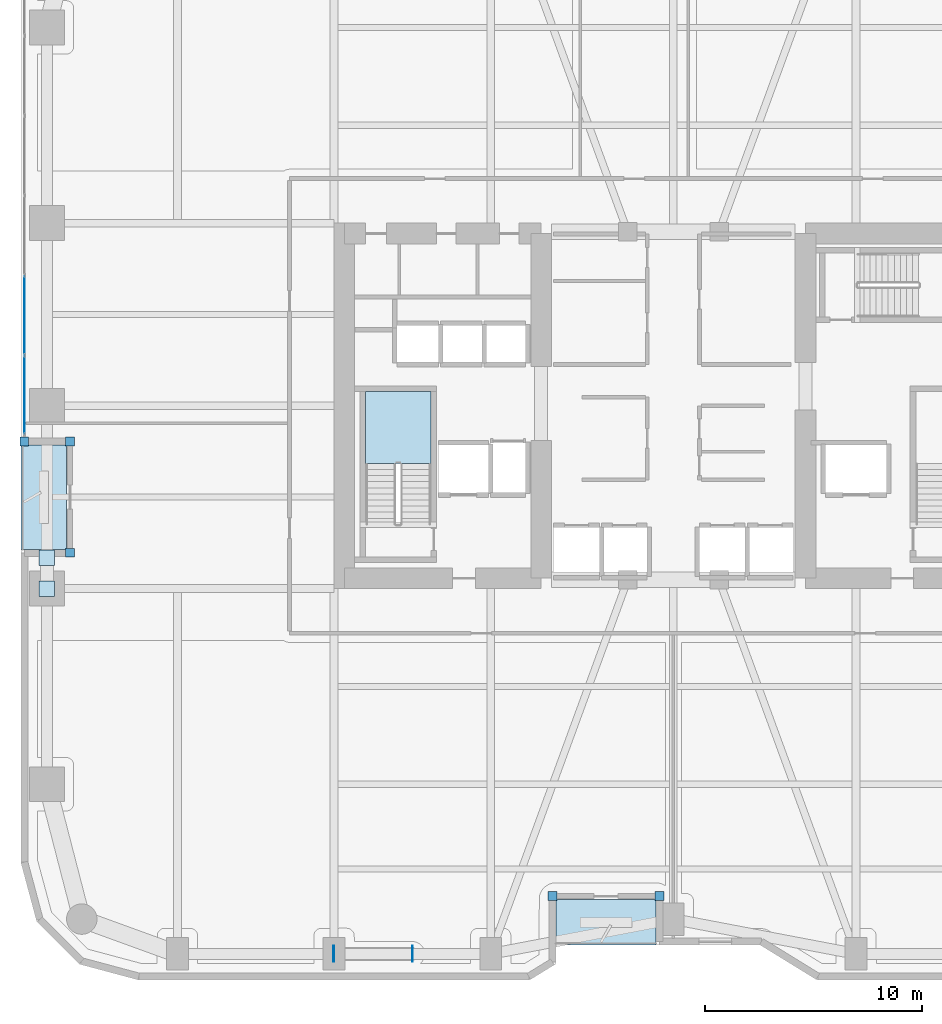
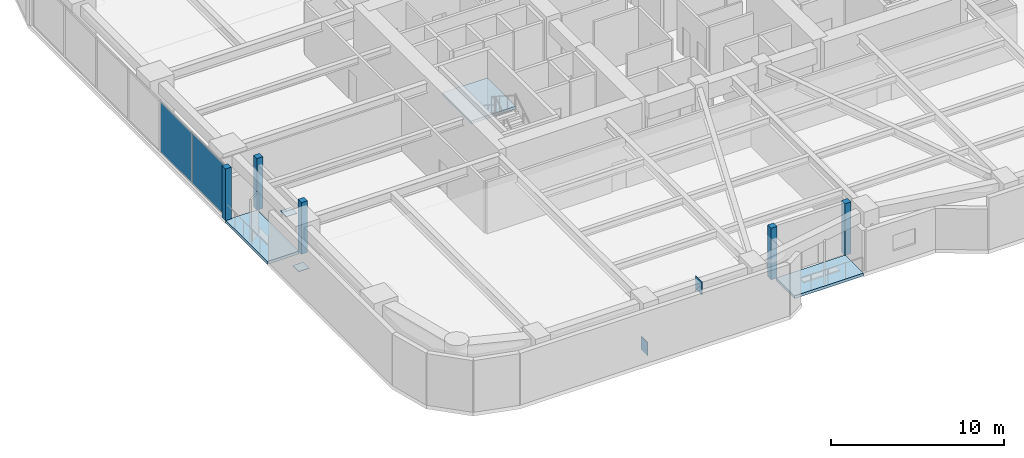
# One storey, part 19 of 29: 11 plates, 3 slabs, 2 elements without a shape of their own.
"""IFC4 building model written with IfcOpenShell, lengths in metres."""

from ifc_helpers import new_model, si_unit, direction, frame, origin, origin_2d, place, context, subcontext, project, spatial, polyline, rectangle, outline, extrude, material, layer, layer_set, type_object, element, aggregate, save


model = new_model("IFC4")

# Units and contexts
model_context = context("Model", 3, precision=1e-05, world=origin(), true_north=direction((0.0, 1.0)))
body_context = subcontext(model_context, "Body", "Model", "MODEL_VIEW")
ifc_project = project(units=[si_unit("LENGTHUNIT", "METRE"), si_unit("AREAUNIT", "SQUARE_METRE"), si_unit("VOLUMEUNIT", "CUBIC_METRE"), si_unit("PLANEANGLEUNIT", "RADIAN"), si_unit("MASSUNIT", "GRAM", prefix="KILO")], contexts=[model_context])

# Site, building, storey
site_placement = place(None, origin())
site = spatial("IfcSite", under=ifc_project, at=site_placement, CompositionType="ELEMENT")
building_placement = place(site_placement, origin())
building = spatial("IfcBuilding", under=site, at=building_placement, Name="Kiyonajd Concourse Tower", CompositionType="ELEMENT")
storey_placement = place(building_placement, frame((0.0, 0.0, 25.5)))
storey = spatial("IfcBuildingStorey", under=building, at=storey_placement, Name="L07", CompositionType="ELEMENT", Elevation=25.5)

# Plates
ifc_material_1 = material(Name="Steel ASTM A572 Grade 50", Category="steel")
ifc_layer_1 = layer(ifc_material_1, 0.028076171875)
ifc_layer_set_1 = layer_set([ifc_layer_1], Name="Steel ASTM A572 Grade 50")
plate_type_1 = type_object("IfcPlateType", Name="PL-CAP-450", PredefinedType="USERDEFINED", material=ifc_layer_set_1)
for number, where, z_axis, x_axis, name in (
    (1, (32.3916015625, 10.800048828125, -0.173583984375), (0.0, 0.0, 1.0), (-1.0, 0.0, 0.0), "L07 Hollow Brace End Cap Plate PBS"),
    (2, (36.008544921875, 10.800048828125, 2.83056640625), (0.0, 0.0, 1.0), (1.0, 0.0, 0.0), "L07 Hollow Brace Top Cap Plate PBS"),
):
    element("IfcPlate", number, at=place(storey_placement, frame(where, z_axis=z_axis, x_axis=x_axis)), inside=storey, type_object=plate_type_1, Name=name, ObjectType="CAP PLATE", PredefinedType="USERDEFINED", context=body_context, shape_type="SweptSolid", body=[
        extrude(rectangle(XDim=0.035888671875, YDim=0.72998046875, at=origin_2d()), origin(), (0.0, 0.0, 1.0), 0.93310546875),
    ])
for number, where, z_axis, x_axis, name in (
    (3, (19.199951171875, 27.59521484375, 0.27587890625), (0.0, 0.0, 1.0), (1.0, 0.0, 0.0), "L07 Hollow Brace End Cap Plate PBW"),
    (4, (19.199951171875, 29.004638671875, 3.2861328125), (0.0, 0.0, 1.0), (1.0, 0.0, 0.0), "L07 Hollow Brace Top Cap Plate PBW"),
):
    element("IfcPlate", number, at=place(storey_placement, frame(where, z_axis=z_axis, x_axis=x_axis)), inside=storey, type_object=plate_type_1, Name=name, ObjectType="CAP PLATE", PredefinedType="USERDEFINED", context=body_context, shape_type="SweptSolid", body=[
        extrude(rectangle(XDim=0.7099609375, YDim=0.7099609375, at=origin_2d()), origin(), (0.0, 0.0, 1.0), 0.028076171875),
    ])

# Curtain wall, plates
ifc_material_2 = material(Name="Thermally Broken Anodised Aluminium", Category="aluminium")
ifc_layer_2 = layer(ifc_material_2, 0.179931640625)
ifc_layer_set_2 = layer_set([ifc_layer_2], Name="Thermally Broken Anodised Aluminium")
curtain_wall_type = type_object("IfcCurtainWallType", Name="CW-SYS-02", PredefinedType="NOTDEFINED", material=ifc_layer_set_2)
curtain_wall_placement = place(storey_placement, origin())
curtain_wall = element("IfcCurtainWall", 5, at=curtain_wall_placement, inside=storey, type_object=curtain_wall_type, Name="L07 Unitised Curtain Wall CW2", PredefinedType="NOTDEFINED")
ifc_material_3 = material(Name="Double Low-E Insulated Glass", Category="glass")
ifc_layer_3 = layer(ifc_material_3, 0.028076171875)
ifc_layer_set_3 = layer_set([ifc_layer_3], Name="Double Low-E Insulated Glass")
plate_type_2 = type_object("IfcPlateType", Name="PL-CW-VIS28", PredefinedType="CURTAIN_PANEL", material=ifc_layer_set_3)
plate_1_placement = place(storey_placement, frame((18.159912109375, 36.5029296875, 0.06494140625), z_axis=(0.0, 0.0, 1.0), x_axis=(0.0, 1.0, 0.0)))
plate_1 = element("IfcPlate", 6, at=plate_1_placement, type_object=plate_type_2, Name="CW2 panel 1.1", PredefinedType="CURTAIN_PANEL", context=body_context, shape_type="SweptSolid", body=[
    extrude(rectangle(XDim=3.57568359375, YDim=0.028076171875, at=origin_2d()), origin(), (0.0, 0.0, 1.0), 3.510009765625),
])
plate_2_placement = place(storey_placement, frame((18.159912109375, 40.15966796875, 0.06494140625), z_axis=(0.0, 0.0, 1.0), x_axis=(0.0, 1.0, 0.0)))
plate_2 = element("IfcPlate", 7, at=plate_2_placement, type_object=plate_type_2, Name="CW2 panel 2.1", PredefinedType="CURTAIN_PANEL", context=body_context, shape_type="SweptSolid", body=[
    extrude(rectangle(XDim=3.608154296875, YDim=0.028076171875, at=origin_2d()), origin(), (0.0, 0.0, 1.0), 3.510009765625),
])
aggregate(curtain_wall, [plate_1, plate_2])

# Plates
ifc_layer_4 = layer(ifc_material_2, 0.39990234375)
ifc_layer_set_4 = layer_set([ifc_layer_4], Name="Thermally Broken Anodised Aluminium")
plate_type_3 = type_object("IfcPlateType", Name="PL-JMB-400", PredefinedType="USERDEFINED", material=ifc_layer_set_4)
for number, where, z_axis, x_axis, name in (
    (8, (20.260009765625, 29.239990234375, 0.0), (0.0, 0.0, 1.0), (1.0, 0.0, 0.0), "L07 Facade Jamb Closure Plate 01"),
    (9, (20.260009765625, 34.360107421875, 0.0), (0.0, 0.0, 1.0), (1.0, 0.0, 0.0), "L07 Facade Jamb Closure Plate 02"),
    (10, (18.159912109375, 34.360107421875, 0.0), (0.0, 0.0, 1.0), (1.0, 0.0, 0.0), "L07 Facade Jamb Closure Plate 03"),
    (11, (47.360107421875, 13.4599609375, 0.0), (0.0, 0.0, 1.0), (1.0, 0.0, 0.0), "L07 Facade Jamb Closure Plate 13"),
    (12, (42.43994140625, 13.4599609375, 0.0), (0.0, 0.0, 1.0), (1.0, 0.0, 0.0), "L07 Facade Jamb Closure Plate 14"),
):
    element("IfcPlate", number, at=place(storey_placement, frame(where, z_axis=z_axis, x_axis=x_axis)), inside=storey, type_object=plate_type_3, Name=name, ObjectType="JAMB PLATE", PredefinedType="USERDEFINED", context=body_context, shape_type="SweptSolid", body=[
        extrude(rectangle(XDim=0.39990234375, YDim=0.39990234375, at=origin_2d()), origin(), (0.0, 0.0, 1.0), 3.639892578125),
    ])

# Stair, slab
ifc_material_4 = material(Name="Concrete C40/50", Category="concrete")
stair_type = type_object("IfcStairType", Name="ST-DLG-22R", PredefinedType="HALF_TURN_STAIR", material=ifc_material_4)
stair_placement = place(storey_placement, origin())
stair = element("IfcStair", 13, at=stair_placement, inside=storey, type_object=stair_type, Name="L07 Protected Exit Stair ST1", PredefinedType="HALF_TURN_STAIR")
ifc_layer_5 = layer(ifc_material_4, 0.199951171875)
ifc_layer_set_5 = layer_set([ifc_layer_5], Name="Concrete C40/50")
slab_type_1 = type_object("IfcSlabType", Name="SL-LND-200", PredefinedType="LANDING", material=ifc_layer_set_5)
slab_1_placement = place(storey_placement, frame((0.0, 0.0, 1.75)))
slab_1 = element("IfcSlab", 14, at=slab_1_placement, type_object=slab_type_1, Name="ST1 landing 1", PredefinedType="LANDING", context=body_context, shape_type="SweptSolid", body=[
    extrude(outline(polyline([(36.85009765625, 33.35009765625), (36.85009765625, 36.64990234375), (33.85009765625, 36.64990234375), (33.85009765625, 33.35009765625), (36.85009765625, 33.35009765625)])), origin(), (0.0, 0.0, 1.0), 0.199951171875),
])
aggregate(stair, [slab_1])

# Slabs
ifc_material_5 = material(Name="Precast concrete C50/60", Category="concrete")
ifc_layer_6 = layer(ifc_material_5, 0.199951171875)
ifc_layer_set_6 = layer_set([ifc_layer_6], Name="Precast concrete C50/60")
slab_type_2 = type_object("IfcSlabType", Name="SL-LOG-200", PredefinedType="FLOOR", material=ifc_layer_set_6)
slab_2_placement = place(storey_placement, frame((0.0, 0.0, -0.199951171875)))
element("IfcSlab", 15, at=slab_2_placement, inside=storey, type_object=slab_type_2, Name="L07 Recessed Engawa Loggia Terrace Slab LOG-S", PredefinedType="FLOOR", context=body_context, shape_type="SweptSolid", body=[
    extrude(outline(polyline([(42.60009765625, 11.199951171875), (47.199951171875, 11.199951171875), (47.199951171875, 13.300048828125), (42.60009765625, 13.300048828125), (42.60009765625, 11.199951171875)])), origin(), (0.0, 0.0, 1.0), 0.199951171875),
])
slab_3_placement = place(storey_placement, frame((0.0, 0.0, -0.199951171875)))
element("IfcSlab", 16, at=slab_3_placement, inside=storey, type_object=slab_type_2, Name="L07 Recessed Engawa Loggia Terrace Slab LOG-W", PredefinedType="FLOOR", context=body_context, shape_type="SweptSolid", body=[
    extrude(outline(polyline([(18.0, 29.39990234375), (20.10009765625, 29.39990234375), (20.10009765625, 34.199951171875), (18.0, 34.199951171875), (18.0, 29.39990234375)])), origin(), (0.0, 0.0, 1.0), 0.199951171875),
])

save(model, "model.ifc")
